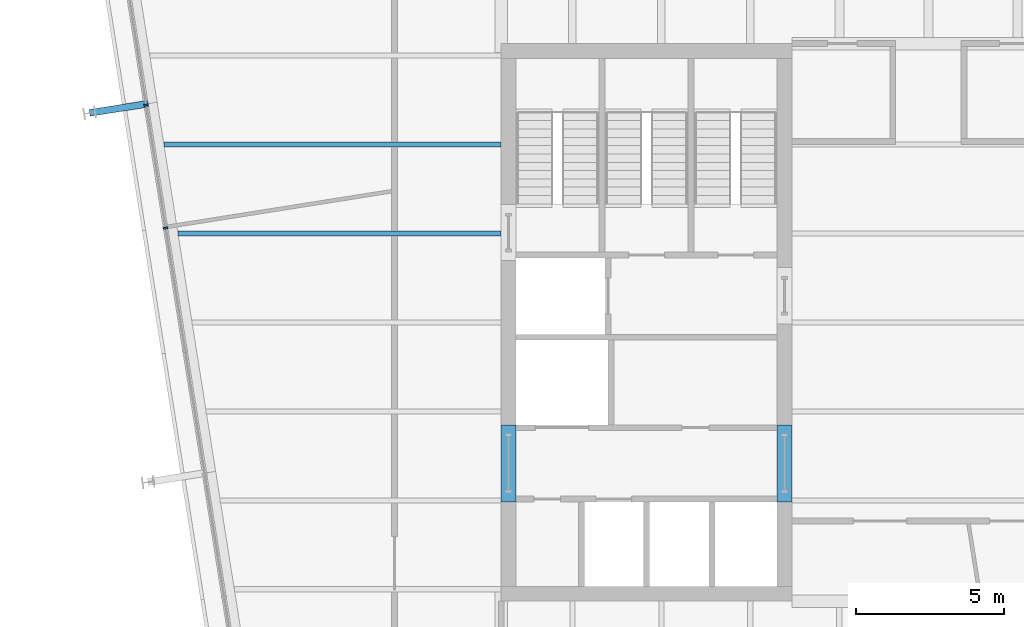
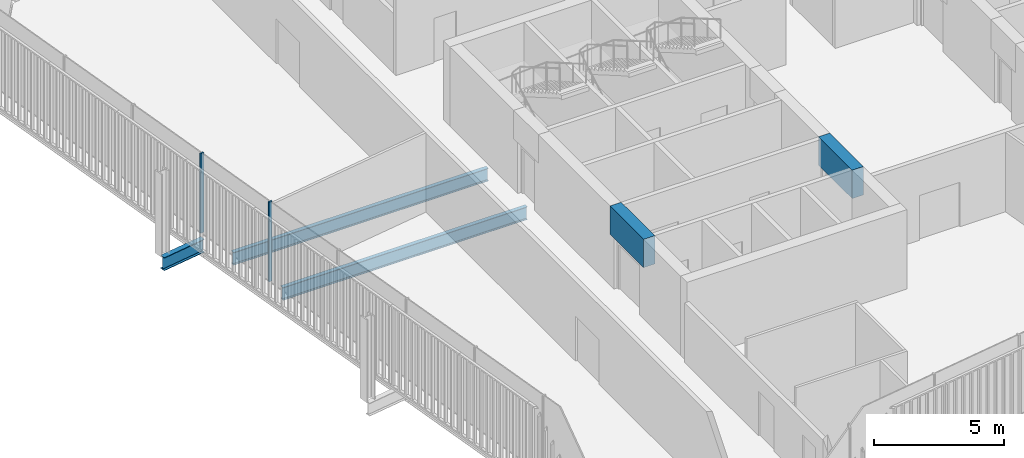
# One storey, part 6 of 20: 5 beams, 2 members, 1 element without a shape of its own.
"""IFC4 building model written with IfcOpenShell, lengths in metres."""

from ifc_helpers import new_model, si_unit, direction, frame, origin, origin_2d, place, context, subcontext, project, spatial, rectangle, i_section, extrude, material, layer, layer_set, material_profile, profile_set, type_object, element, aggregate, save


model = new_model("IFC4")

# Units and contexts
model_context = context("Model", 3, precision=1e-05, world=origin(), true_north=direction((0.0, 1.0)))
body_context = subcontext(model_context, "Body", "Model", "MODEL_VIEW")
ifc_project = project(units=[si_unit("LENGTHUNIT", "METRE"), si_unit("AREAUNIT", "SQUARE_METRE"), si_unit("VOLUMEUNIT", "CUBIC_METRE"), si_unit("PLANEANGLEUNIT", "RADIAN"), si_unit("MASSUNIT", "GRAM", prefix="KILO")], contexts=[model_context])

# Site, building, storey
site_placement = place(None, origin())
site = spatial("IfcSite", under=ifc_project, at=site_placement, CompositionType="ELEMENT")
building_placement = place(site_placement, origin())
building = spatial("IfcBuilding", under=site, at=building_placement, Name="Millrace Tower", CompositionType="ELEMENT")
storey_placement = place(building_placement, frame((0.0, 0.0, 224.199951171875)))
storey = spatial("IfcBuildingStorey", under=building, at=storey_placement, Name="L51", CompositionType="ELEMENT", Elevation=224.199951171875)

# Curtain wall, members
ifc_material_1 = material(Name="Aluminium and glass", Category="aluminium")
ifc_layer = layer(ifc_material_1, 0.14990234375)
ifc_layer_set = layer_set([ifc_layer], Name="Aluminium and glass")
curtain_wall_type = type_object("IfcCurtainWallType", Name="CW-1 office vision curtain wall", PredefinedType="NOTDEFINED", material=ifc_layer_set)
curtain_wall_placement = place(storey_placement, origin())
curtain_wall = element("IfcCurtainWall", 1, at=curtain_wall_placement, inside=storey, type_object=curtain_wall_type, Name="Curtain wall D-F08 L51", PredefinedType="NOTDEFINED")
ifc_material_2 = material(Name="Aluminium", Category="aluminium")
ifc_material_profile_1 = material_profile(ifc_material_2, rectangle(XDim=0.06494140625, YDim=0.14990234375, at=origin_2d()))
ifc_profile_set_1 = profile_set([ifc_material_profile_1], Name="Aluminium")
member_type = type_object("IfcMemberType", Name="CW-1 office vision curtain wall mullion", PredefinedType="MULLION", material=ifc_profile_set_1)
member_1_placement = place(storey_placement, frame((-26.371337890625, 7.33056640625, 0.14013671875), z_axis=(0.0, 0.0, 1.0), x_axis=(0.156434471884, -0.987688339511, 0.0)))
member_1 = element("IfcMember", 2, at=member_1_placement, type_object=member_type, Name="CW1 mullion D-F08.4", PredefinedType="MULLION", context=body_context, shape_type="SweptSolid", body=[
    extrude(rectangle(XDim=0.06494140625, YDim=0.14990234375, at=origin_2d()), origin(), (0.0, 0.0, 1.0), 3.760009765625),
])
member_2_placement = place(storey_placement, frame((-25.71435546875, 3.182373046875, 0.14013671875), z_axis=(0.0, 0.0, 1.0), x_axis=(0.156434471884, -0.987688339511, 0.0)))
member_2 = element("IfcMember", 3, at=member_2_placement, type_object=member_type, Name="CW1 mullion D-F08.5", PredefinedType="MULLION", context=body_context, shape_type="SweptSolid", body=[
    extrude(rectangle(XDim=0.06494140625, YDim=0.14990234375, at=origin_2d()), origin(), (0.0, 0.0, 1.0), 3.760009765625),
])
aggregate(curtain_wall, [member_1, member_2])

# Beams
ifc_material_3 = material(Name="Concrete C60", Category="concrete")
ifc_material_profile_2 = material_profile(ifc_material_3, rectangle(XDim=0.5, YDim=1.340087890625, at=origin_2d()))
ifc_profile_set_2 = profile_set([ifc_material_profile_2], Name="Concrete C60")
beam_type_1 = type_object("IfcBeamType", Name="Coupling beam 500 x 1340 Concrete C60, 2000 opening", PredefinedType="BEAM", material=ifc_profile_set_2)
for number, where, z_axis, x_axis, name in (
    (4, (-14.14990234375, -6.050048828125, 3.070068359375), (0.0, 1.0, 0.0), (-1.0, 0.0, 0.0), "Coupling beam W L51"),
    (5, (-4.85009765625, -6.050048828125, 3.070068359375), (0.0, 1.0, 0.0), (-1.0, 0.0, 0.0), "Coupling beam W L51"),
):
    element("IfcBeam", number, at=place(storey_placement, frame(where, z_axis=z_axis, x_axis=x_axis)), inside=storey, type_object=beam_type_1, Name=name, PredefinedType="BEAM", context=body_context, shape_type="SweptSolid", body=[
        extrude(rectangle(XDim=0.5, YDim=1.340087890625, at=origin_2d()), origin(), (0.0, 0.0, 1.0), 2.60009765625),
    ])
ifc_material_4 = material(Name="Steel ASTM A992 Grade 50", Category="steel")
ifc_material_profile_3 = material_profile(ifc_material_4, i_section(OverallWidth=0.1787109375, OverallDepth=0.60205078125, WebThickness=0.010986328125, FlangeThickness=0.014892578125, FilletRadius=0.0126953125, at=origin_2d()))
ifc_profile_set_3 = profile_set([ifc_material_profile_3], Name="Steel ASTM A992 Grade 50")
beam_type_2 = type_object("IfcBeamType", Name="Floor beam W24x62", PredefinedType="JOIST", material=ifc_profile_set_3)
beam_1_placement = place(storey_placement, frame((-25.29833984375, 3.0, -0.4609375), z_axis=(1.0, 0.0, 0.0), x_axis=(0.0, 1.0, 0.0)))
element("IfcBeam", 6, at=beam_1_placement, inside=storey, type_object=beam_type_2, Name="BM-D-L51-S1-S018", PredefinedType="JOIST", context=body_context, shape_type="SweptSolid", body=[
    extrude(i_section(OverallWidth=0.1787109375, OverallDepth=0.60205078125, WebThickness=0.010986328125, FlangeThickness=0.014892578125, FilletRadius=0.0126953125, at=origin_2d()), origin(), (0.0, 0.0, 1.0), 10.8984375),
])
beam_2_placement = place(storey_placement, frame((-25.7734375, 6.0, -0.4609375), z_axis=(1.0, 0.0, 0.0), x_axis=(0.0, 1.0, 0.0)))
element("IfcBeam", 7, at=beam_2_placement, inside=storey, type_object=beam_type_2, Name="BM-D-L51-S1-S021", PredefinedType="JOIST", context=body_context, shape_type="SweptSolid", body=[
    extrude(i_section(OverallWidth=0.1787109375, OverallDepth=0.60205078125, WebThickness=0.010986328125, FlangeThickness=0.014892578125, FilletRadius=0.0126953125, at=origin_2d()), origin(), (0.0, 0.0, 1.0), 11.37353515625),
])
ifc_material_5 = material(Name="Steel ASTM A992 Grade 50", Category="steel")
ifc_material_profile_4 = material_profile(ifc_material_5, i_section(OverallWidth=0.23046875, OverallDepth=0.6171875, WebThickness=0.01318359375, FlangeThickness=0.022216796875, FilletRadius=0.012939453125, at=origin_2d()))
ifc_profile_set_4 = profile_set([ifc_material_profile_4], Name="Steel ASTM A992 Grade 50")
beam_type_3 = type_object("IfcBeamType", Name="Link beam W24x94", PredefinedType="BEAM", material=ifc_profile_set_4)
beam_3_placement = place(storey_placement, frame((-26.302490234375, 7.37451171875, -0.468505859375), z_axis=(-0.987678691416, -0.156495375404, 0.0), x_axis=(0.156495375404, -0.987678691416, 0.0)))
element("IfcBeam", 8, at=beam_3_placement, inside=storey, type_object=beam_type_3, Name="LNK-D-L51-S1-03", PredefinedType="BEAM", context=body_context, shape_type="SweptSolid", body=[
    extrude(i_section(OverallWidth=0.23046875, OverallDepth=0.6171875, WebThickness=0.01318359375, FlangeThickness=0.022216796875, FilletRadius=0.012939453125, at=origin_2d()), origin(), (0.0, 0.0, 1.0), 2.0),
])

save(model, "model.ifc")
